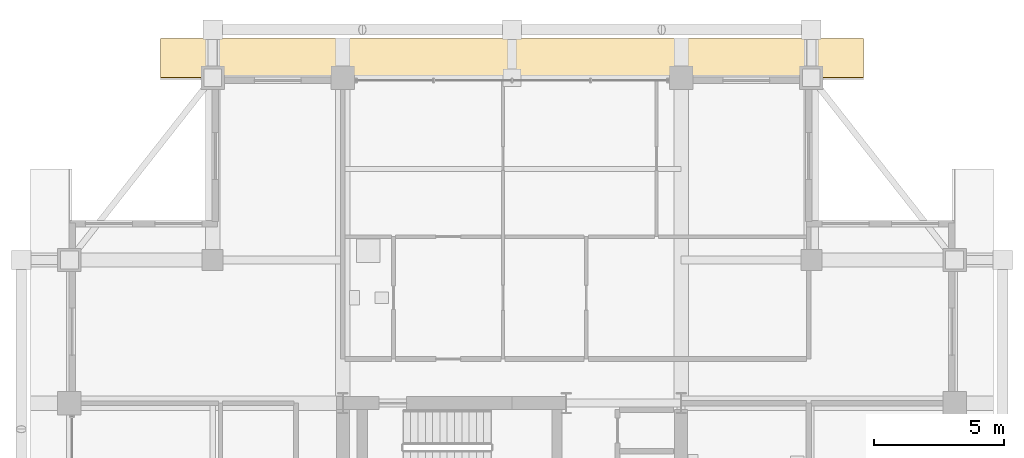
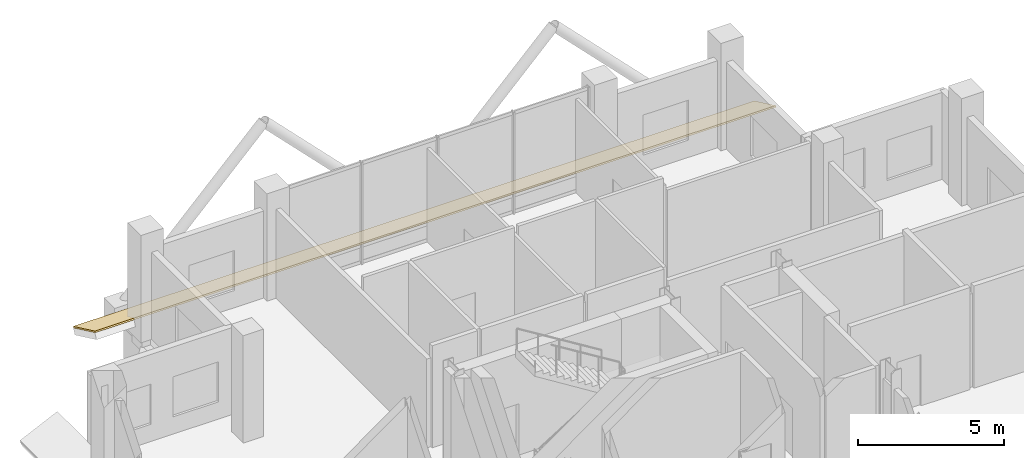
# One storey, part 26 of 27: 1 covering.
"""IFC4 building model written with IfcOpenShell, lengths in metres."""

from ifc_helpers import new_model, si_unit, direction, frame, origin, place, context, subcontext, project, spatial, polyline, outline, extrude, material, layer, layer_set, type_object, element, save


model = new_model("IFC4")

# Units and contexts
model_context = context("Model", 3, precision=1e-05, world=origin(), true_north=direction((0.0, 1.0)))
body_context = subcontext(model_context, "Body", "Model", "MODEL_VIEW")
ifc_project = project(units=[si_unit("LENGTHUNIT", "METRE"), si_unit("AREAUNIT", "SQUARE_METRE"), si_unit("VOLUMEUNIT", "CUBIC_METRE"), si_unit("PLANEANGLEUNIT", "RADIAN"), si_unit("MASSUNIT", "GRAM", prefix="KILO")], contexts=[model_context])

# Site, building, storey
site_placement = place(None, origin())
site = spatial("IfcSite", under=ifc_project, at=site_placement, CompositionType="ELEMENT")
building_placement = place(site_placement, origin())
building = spatial("IfcBuilding", under=site, at=building_placement, Name="Barlavira Tower and Art Museum", CompositionType="ELEMENT")
storey_placement = place(building_placement, frame((0.0, 0.0, 217.800048828125)))
storey = spatial("IfcBuildingStorey", under=building, at=storey_placement, Name="L56", CompositionType="ELEMENT", Elevation=217.800048828125)

# Covering
ifc_material = material(Name="Pale anodised aluminium", Category="aluminium")
ifc_layer = layer(ifc_material, 0.06005859375, Name="Pale anodised aluminium")
ifc_layer_set = layer_set([ifc_layer], Name="Pale anodised aluminium")
covering_type = type_object("IfcCoveringType", Name="Sloped Roof Standing-Seam Pale-Metal Weathering 60", PredefinedType="ROOFING", material=ifc_layer_set)
covering_placement = place(storey_placement, frame((-13.5, 21.5, 0.06005859375), z_axis=(0.0, 0.42729760809, 0.904111029753), x_axis=(1.0, 0.0, 0.0)))
element("IfcCovering", 1, at=covering_placement, inside=storey, type_object=covering_type, Name="L56 N Chisel Step-In Standing-Seam Pale-Metal Roofing", PredefinedType="ROOFING", context=body_context, shape_type="SweptSolid", body=[
    extrude(outline(polyline([(0.0, 0.0), (27.0, 0.0), (27.0, -1.6369454857272892), (0.0, -1.6369454857272892), (0.0, 0.0)])), origin(), (0.0, 0.0, -1.0), 0.06005859375),
])

save(model, "model.ifc")
